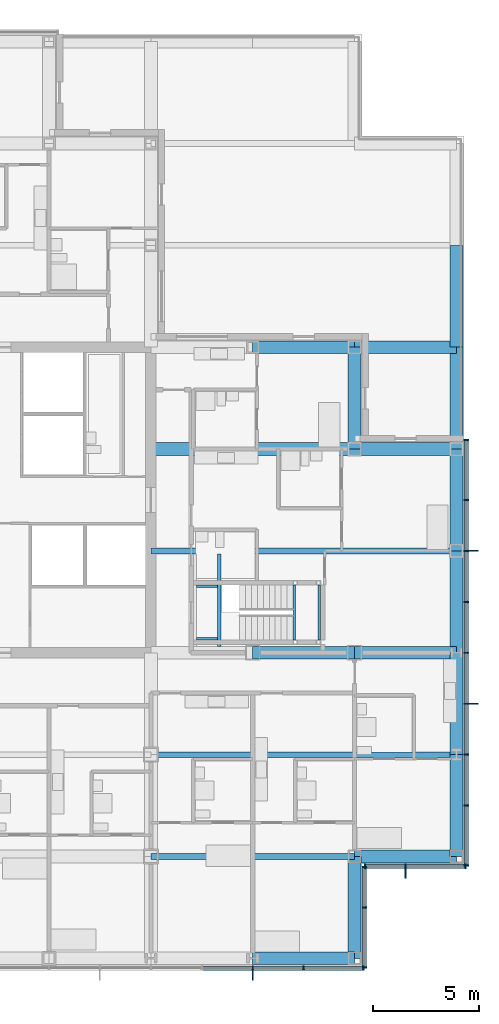
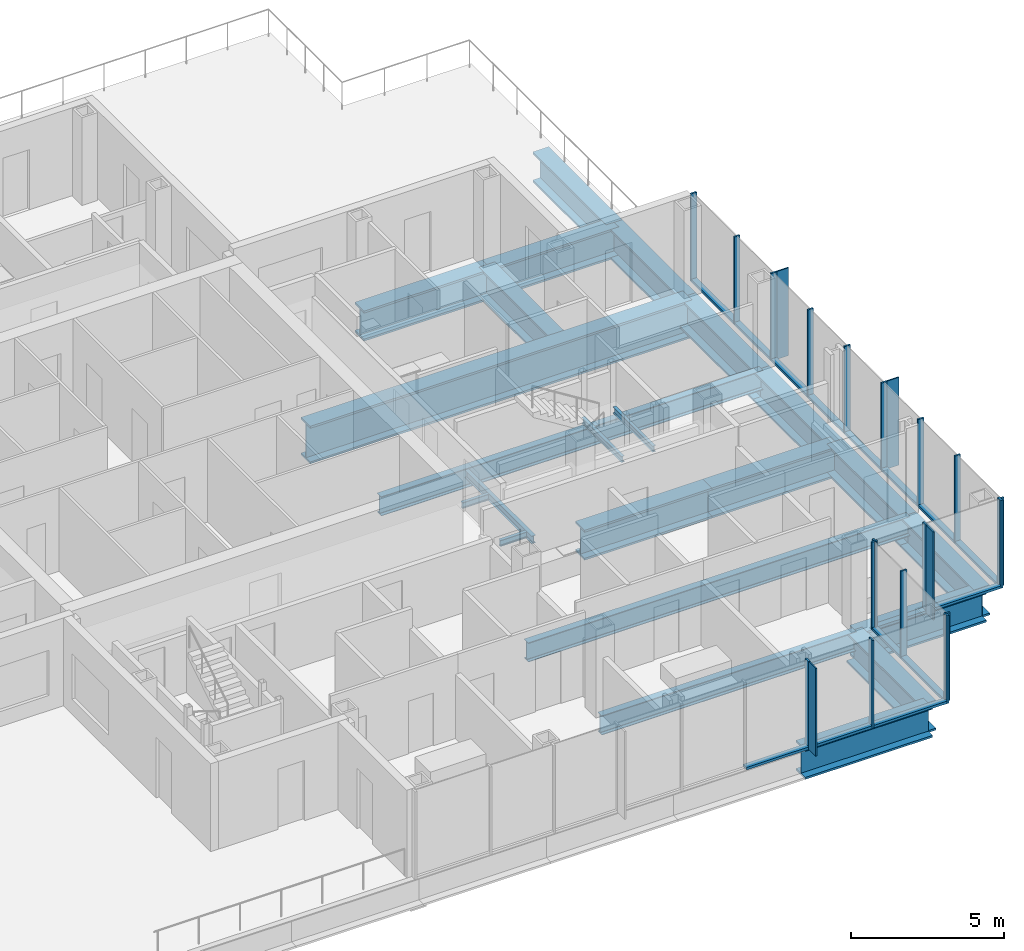
# One storey, part 8 of 19: 37 members, 23 beams, 4 elements without a shape of their own.
"""IFC4 building model written with IfcOpenShell, lengths in metres."""

from ifc_helpers import new_model, si_unit, direction, frame, origin, origin_2d, place, context, subcontext, project, spatial, rectangle, i_section, extrude, material, material_profile, profile_set, type_object, element, aggregate, save


model = new_model("IFC4")

# Units and contexts
model_context = context("Model", 3, precision=1e-05, world=origin(), true_north=direction((0.0, 1.0)))
body_context = subcontext(model_context, "Body", "Model", "MODEL_VIEW")
ifc_project = project(units=[si_unit("LENGTHUNIT", "METRE"), si_unit("AREAUNIT", "SQUARE_METRE"), si_unit("VOLUMEUNIT", "CUBIC_METRE"), si_unit("PLANEANGLEUNIT", "RADIAN"), si_unit("MASSUNIT", "GRAM", prefix="KILO")], contexts=[model_context])

# Site, building, storey
site_placement = place(None, origin())
site = spatial("IfcSite", under=ifc_project, at=site_placement, CompositionType="ELEMENT")
building_placement = place(site_placement, origin())
building = spatial("IfcBuilding", under=site, at=building_placement, Name="Kvirike Care Tower", CompositionType="ELEMENT")
storey_placement = place(building_placement, frame((0.0, 0.0, 84.0)))
storey = spatial("IfcBuildingStorey", under=building, at=storey_placement, Name="L22", CompositionType="ELEMENT", Elevation=84.0)

# Curtain wall, members
ifc_material_1 = material(Name="Anodised aluminium stick system", Category="aluminium")
curtain_wall_type = type_object("IfcCurtainWallType", Name="CW-B STICK CURTAIN WALL", PredefinedType="NOTDEFINED", material=ifc_material_1)
curtain_wall_1_placement = place(storey_placement, origin())
curtain_wall_1 = element("IfcCurtainWall", 1, at=curtain_wall_1_placement, inside=storey, type_object=curtain_wall_type, Name="Curtain wall L22 face 1", PredefinedType="NOTDEFINED")
ifc_material_2 = material(Name="Bronze anodised aluminium fin", Category="aluminium")
ifc_material_profile_1 = material_profile(ifc_material_2, rectangle(XDim=0.050048828125, YDim=0.449951171875, at=origin_2d()), Name="BRONZE FIN 450")
ifc_profile_set_1 = profile_set([ifc_material_profile_1], Name="Bronze anodised aluminium fin")
member_type_1 = type_object("IfcMemberType", Name="BRONZE FIN 450", PredefinedType="USERDEFINED", material=ifc_profile_set_1)
member_1_placement = place(storey_placement, frame((43.9951171875, 26.39990234375, 0.0), z_axis=(0.0, 0.0, 1.0), x_axis=(0.0, 1.0, 0.0)))
member_1 = element("IfcMember", 2, at=member_1_placement, type_object=member_type_1, Name="Bronze fin L22 face 1.4", ObjectType="FIN", PredefinedType="USERDEFINED", context=body_context, shape_type="SweptSolid", body=[
    extrude(rectangle(XDim=0.050048828125, YDim=0.449951171875, at=origin_2d()), origin(), (0.0, 0.0, 1.0), 3.5),
])
member_2_placement = place(storey_placement, frame((43.9951171875, 33.60009765625, 0.0), z_axis=(0.0, 0.0, 1.0), x_axis=(0.0, 1.0, 0.0)))
member_2 = element("IfcMember", 3, at=member_2_placement, type_object=member_type_1, Name="Bronze fin L22 face 1.7", ObjectType="FIN", PredefinedType="USERDEFINED", context=body_context, shape_type="SweptSolid", body=[
    extrude(rectangle(XDim=0.050048828125, YDim=0.449951171875, at=origin_2d()), origin(), (0.0, 0.0, 1.0), 3.5),
])

# Curtain wall, member
curtain_wall_2_placement = place(storey_placement, origin())
curtain_wall_2 = element("IfcCurtainWall", 4, at=curtain_wall_2_placement, inside=storey, type_object=curtain_wall_type, Name="Curtain wall L22 face 18", PredefinedType="NOTDEFINED")
member_3_placement = place(storey_placement, frame((33.60009765625, 13.60498046875, 0.0), z_axis=(0.0, 0.0, 1.0), x_axis=(1.0, 0.0, 0.0)))
member_3 = element("IfcMember", 5, at=member_3_placement, type_object=member_type_1, Name="Bronze fin L22 face 18.7", ObjectType="FIN", PredefinedType="USERDEFINED", context=body_context, shape_type="SweptSolid", body=[
    extrude(rectangle(XDim=0.050048828125, YDim=0.449951171875, at=origin_2d()), origin(), (0.0, 0.0, 1.0), 3.5),
])

curtain_wall_3_placement = place(storey_placement, origin())
curtain_wall_3 = element("IfcCurtainWall", 6, at=curtain_wall_3_placement, inside=storey, type_object=curtain_wall_type, Name="Curtain wall L22 face 20", PredefinedType="NOTDEFINED")
member_4_placement = place(storey_placement, frame((40.800048828125, 18.405029296875, 0.0), z_axis=(0.0, 0.0, 1.0), x_axis=(1.0, 0.0, 0.0)))
member_4 = element("IfcMember", 7, at=member_4_placement, type_object=member_type_1, Name="Bronze fin L22 face 20.2", ObjectType="FIN", PredefinedType="USERDEFINED", context=body_context, shape_type="SweptSolid", body=[
    extrude(rectangle(XDim=0.050048828125, YDim=0.449951171875, at=origin_2d()), origin(), (0.0, 0.0, 1.0), 3.5),
])

# Member
ifc_material_3 = material(Name="Bronze anodised aluminium mullion", Category="aluminium")
ifc_material_profile_2 = material_profile(ifc_material_3, rectangle(XDim=0.06494140625, YDim=0.219970703125, at=origin_2d()), Name="CW-B MULLION 65x220")
ifc_profile_set_2 = profile_set([ifc_material_profile_2], Name="Bronze anodised aluminium mullion")
member_type_2 = type_object("IfcMemberType", Name="CW-B MULLION 65x220", PredefinedType="MULLION", material=ifc_profile_set_2)
member_5_placement = place(storey_placement, frame((43.659912109375, 18.7724609375, 0.0), z_axis=(0.0, 0.0, 1.0), x_axis=(0.0, 1.0, 0.0)))
member_5 = element("IfcMember", 8, at=member_5_placement, type_object=member_type_2, Name="CW-B mullion L22 face 1.1", PredefinedType="MULLION", context=body_context, shape_type="SweptSolid", body=[
    extrude(rectangle(XDim=0.06494140625, YDim=0.219970703125, at=origin_2d()), origin(), (0.0, 0.0, 1.0), 3.5),
])

member_6_placement = place(storey_placement, frame((43.659912109375, 21.60009765625, 0.0), z_axis=(0.0, 0.0, 1.0), x_axis=(0.0, 1.0, 0.0)))
member_6 = element("IfcMember", 9, at=member_6_placement, type_object=member_type_2, Name="CW-B mullion L22 face 1.2", PredefinedType="MULLION", context=body_context, shape_type="SweptSolid", body=[
    extrude(rectangle(XDim=0.06494140625, YDim=0.219970703125, at=origin_2d()), origin(), (0.0, 0.0, 1.0), 3.5),
])

member_7_placement = place(storey_placement, frame((43.659912109375, 24.0, 0.0), z_axis=(0.0, 0.0, 1.0), x_axis=(0.0, 1.0, 0.0)))
member_7 = element("IfcMember", 10, at=member_7_placement, type_object=member_type_2, Name="CW-B mullion L22 face 1.3", PredefinedType="MULLION", context=body_context, shape_type="SweptSolid", body=[
    extrude(rectangle(XDim=0.06494140625, YDim=0.219970703125, at=origin_2d()), origin(), (0.0, 0.0, 1.0), 3.5),
])

member_8_placement = place(storey_placement, frame((43.659912109375, 26.39990234375, 0.0), z_axis=(0.0, 0.0, 1.0), x_axis=(0.0, 1.0, 0.0)))
member_8 = element("IfcMember", 11, at=member_8_placement, type_object=member_type_2, Name="CW-B mullion L22 face 1.4", PredefinedType="MULLION", context=body_context, shape_type="SweptSolid", body=[
    extrude(rectangle(XDim=0.06494140625, YDim=0.219970703125, at=origin_2d()), origin(), (0.0, 0.0, 1.0), 3.5),
])

member_9_placement = place(storey_placement, frame((43.659912109375, 28.800048828125, 0.0), z_axis=(0.0, 0.0, 1.0), x_axis=(0.0, 1.0, 0.0)))
member_9 = element("IfcMember", 12, at=member_9_placement, type_object=member_type_2, Name="CW-B mullion L22 face 1.5", PredefinedType="MULLION", context=body_context, shape_type="SweptSolid", body=[
    extrude(rectangle(XDim=0.06494140625, YDim=0.219970703125, at=origin_2d()), origin(), (0.0, 0.0, 1.0), 3.5),
])

member_10_placement = place(storey_placement, frame((43.659912109375, 31.199951171875, 0.0), z_axis=(0.0, 0.0, 1.0), x_axis=(0.0, 1.0, 0.0)))
member_10 = element("IfcMember", 13, at=member_10_placement, type_object=member_type_2, Name="CW-B mullion L22 face 1.6", PredefinedType="MULLION", context=body_context, shape_type="SweptSolid", body=[
    extrude(rectangle(XDim=0.06494140625, YDim=0.219970703125, at=origin_2d()), origin(), (0.0, 0.0, 1.0), 3.5),
])

member_11_placement = place(storey_placement, frame((43.659912109375, 33.60009765625, 0.0), z_axis=(0.0, 0.0, 1.0), x_axis=(0.0, 1.0, 0.0)))
member_11 = element("IfcMember", 14, at=member_11_placement, type_object=member_type_2, Name="CW-B mullion L22 face 1.7", PredefinedType="MULLION", context=body_context, shape_type="SweptSolid", body=[
    extrude(rectangle(XDim=0.06494140625, YDim=0.219970703125, at=origin_2d()), origin(), (0.0, 0.0, 1.0), 3.5),
])

member_12_placement = place(storey_placement, frame((43.659912109375, 36.0, 0.0), z_axis=(0.0, 0.0, 1.0), x_axis=(0.0, 1.0, 0.0)))
member_12 = element("IfcMember", 15, at=member_12_placement, type_object=member_type_2, Name="CW-B mullion L22 face 1.8", PredefinedType="MULLION", context=body_context, shape_type="SweptSolid", body=[
    extrude(rectangle(XDim=0.06494140625, YDim=0.219970703125, at=origin_2d()), origin(), (0.0, 0.0, 1.0), 3.5),
])

member_13_placement = place(storey_placement, frame((43.659912109375, 38.827392578125, 0.0), z_axis=(0.0, 0.0, 1.0), x_axis=(0.0, 1.0, 0.0)))
member_13 = element("IfcMember", 16, at=member_13_placement, type_object=member_type_2, Name="CW-B mullion L22 face 1.9", PredefinedType="MULLION", context=body_context, shape_type="SweptSolid", body=[
    extrude(rectangle(XDim=0.06494140625, YDim=0.219970703125, at=origin_2d()), origin(), (0.0, 0.0, 1.0), 3.5),
])

member_14_placement = place(storey_placement, frame((33.60009765625, 13.93994140625, 0.0), z_axis=(0.0, 0.0, 1.0), x_axis=(1.0, 0.0, 0.0)))
member_14 = element("IfcMember", 17, at=member_14_placement, type_object=member_type_2, Name="CW-B mullion L22 face 18.7", PredefinedType="MULLION", context=body_context, shape_type="SweptSolid", body=[
    extrude(rectangle(XDim=0.06494140625, YDim=0.219970703125, at=origin_2d()), origin(), (0.0, 0.0, 1.0), 3.5),
])

member_15_placement = place(storey_placement, frame((36.0, 13.93994140625, 0.0), z_axis=(0.0, 0.0, 1.0), x_axis=(1.0, 0.0, 0.0)))
member_15 = element("IfcMember", 18, at=member_15_placement, type_object=member_type_2, Name="CW-B mullion L22 face 18.8", PredefinedType="MULLION", context=body_context, shape_type="SweptSolid", body=[
    extrude(rectangle(XDim=0.06494140625, YDim=0.219970703125, at=origin_2d()), origin(), (0.0, 0.0, 1.0), 3.5),
])

member_16_placement = place(storey_placement, frame((38.827392578125, 13.93994140625, 0.0), z_axis=(0.0, 0.0, 1.0), x_axis=(1.0, 0.0, 0.0)))
member_16 = element("IfcMember", 19, at=member_16_placement, type_object=member_type_2, Name="CW-B mullion L22 face 18.9", PredefinedType="MULLION", context=body_context, shape_type="SweptSolid", body=[
    extrude(rectangle(XDim=0.06494140625, YDim=0.219970703125, at=origin_2d()), origin(), (0.0, 0.0, 1.0), 3.5),
])

# Curtain wall, members
curtain_wall_4_placement = place(storey_placement, origin())
curtain_wall_4 = element("IfcCurtainWall", 20, at=curtain_wall_4_placement, inside=storey, type_object=curtain_wall_type, Name="Curtain wall L22 face 19", PredefinedType="NOTDEFINED")
member_17_placement = place(storey_placement, frame((38.860107421875, 13.972412109375, 0.0), z_axis=(0.0, 0.0, 1.0), x_axis=(0.0, 1.0, 0.0)))
member_17 = element("IfcMember", 21, at=member_17_placement, type_object=member_type_2, Name="CW-B mullion L22 face 19.1", PredefinedType="MULLION", context=body_context, shape_type="SweptSolid", body=[
    extrude(rectangle(XDim=0.06494140625, YDim=0.219970703125, at=origin_2d()), origin(), (0.0, 0.0, 1.0), 3.5),
])
member_18_placement = place(storey_placement, frame((38.860107421875, 16.800048828125, 0.0), z_axis=(0.0, 0.0, 1.0), x_axis=(0.0, 1.0, 0.0)))
member_18 = element("IfcMember", 22, at=member_18_placement, type_object=member_type_2, Name="CW-B mullion L22 face 19.2", PredefinedType="MULLION", context=body_context, shape_type="SweptSolid", body=[
    extrude(rectangle(XDim=0.06494140625, YDim=0.219970703125, at=origin_2d()), origin(), (0.0, 0.0, 1.0), 3.5),
])
member_19_placement = place(storey_placement, frame((38.860107421875, 18.70751953125, 0.0), z_axis=(0.0, 0.0, 1.0), x_axis=(0.0, 1.0, 0.0)))
member_19 = element("IfcMember", 23, at=member_19_placement, type_object=member_type_2, Name="CW-B mullion L22 face 19.3", PredefinedType="MULLION", context=body_context, shape_type="SweptSolid", body=[
    extrude(rectangle(XDim=0.06494140625, YDim=0.219970703125, at=origin_2d()), origin(), (0.0, 0.0, 1.0), 3.5),
])

# Member
member_20_placement = place(storey_placement, frame((38.892578125, 18.739990234375, 0.0), z_axis=(0.0, 0.0, 1.0), x_axis=(1.0, 0.0, 0.0)))
member_20 = element("IfcMember", 24, at=member_20_placement, type_object=member_type_2, Name="CW-B mullion L22 face 20.1", PredefinedType="MULLION", context=body_context, shape_type="SweptSolid", body=[
    extrude(rectangle(XDim=0.06494140625, YDim=0.219970703125, at=origin_2d()), origin(), (0.0, 0.0, 1.0), 3.5),
])

member_21_placement = place(storey_placement, frame((40.800048828125, 18.739990234375, 0.0), z_axis=(0.0, 0.0, 1.0), x_axis=(1.0, 0.0, 0.0)))
member_21 = element("IfcMember", 25, at=member_21_placement, type_object=member_type_2, Name="CW-B mullion L22 face 20.2", PredefinedType="MULLION", context=body_context, shape_type="SweptSolid", body=[
    extrude(rectangle(XDim=0.06494140625, YDim=0.219970703125, at=origin_2d()), origin(), (0.0, 0.0, 1.0), 3.5),
])

member_22_placement = place(storey_placement, frame((43.62744140625, 18.739990234375, 0.0), z_axis=(0.0, 0.0, 1.0), x_axis=(1.0, 0.0, 0.0)))
member_22 = element("IfcMember", 26, at=member_22_placement, type_object=member_type_2, Name="CW-B mullion L22 face 20.3", PredefinedType="MULLION", context=body_context, shape_type="SweptSolid", body=[
    extrude(rectangle(XDim=0.06494140625, YDim=0.219970703125, at=origin_2d()), origin(), (0.0, 0.0, 1.0), 3.5),
])

ifc_material_4 = material(Name="Bronze anodised aluminium transom", Category="aluminium")
ifc_material_profile_3 = material_profile(ifc_material_4, rectangle(XDim=0.219970703125, YDim=0.10009765625, at=origin_2d()), Name="CW-B TRANSOM 220x100")
ifc_profile_set_3 = profile_set([ifc_material_profile_3], Name="Bronze anodised aluminium transom")
member_type_3 = type_object("IfcMemberType", Name="CW-B TRANSOM 220x100", PredefinedType="USERDEFINED", material=ifc_profile_set_3)
member_23_placement = place(storey_placement, frame((43.659912109375, 18.804931640625, 0.050048828125), z_axis=(0.0, 1.0, 0.0), x_axis=(-1.0, 0.0, 0.0)))
member_23 = element("IfcMember", 27, at=member_23_placement, type_object=member_type_3, Name="CW-B sill transom L22 face 1.1", ObjectType="TRANSOM", PredefinedType="USERDEFINED", context=body_context, shape_type="SweptSolid", body=[
    extrude(rectangle(XDim=0.219970703125, YDim=0.10009765625, at=origin_2d()), origin(), (0.0, 0.0, 1.0), 2.762451171875),
])

member_24_placement = place(storey_placement, frame((43.659912109375, 21.632568359375, 0.050048828125), z_axis=(0.0, 1.0, 0.0), x_axis=(-1.0, 0.0, 0.0)))
member_24 = element("IfcMember", 28, at=member_24_placement, type_object=member_type_3, Name="CW-B sill transom L22 face 1.2", ObjectType="TRANSOM", PredefinedType="USERDEFINED", context=body_context, shape_type="SweptSolid", body=[
    extrude(rectangle(XDim=0.219970703125, YDim=0.10009765625, at=origin_2d()), origin(), (0.0, 0.0, 1.0), 2.3349609375),
])

member_25_placement = place(storey_placement, frame((43.659912109375, 24.032470703125, 0.050048828125), z_axis=(0.0, 1.0, 0.0), x_axis=(-1.0, 0.0, 0.0)))
member_25 = element("IfcMember", 29, at=member_25_placement, type_object=member_type_3, Name="CW-B sill transom L22 face 1.3", ObjectType="TRANSOM", PredefinedType="USERDEFINED", context=body_context, shape_type="SweptSolid", body=[
    extrude(rectangle(XDim=0.219970703125, YDim=0.10009765625, at=origin_2d()), origin(), (0.0, 0.0, 1.0), 2.3349609375),
])

member_26_placement = place(storey_placement, frame((43.659912109375, 26.4326171875, 0.050048828125), z_axis=(0.0, 1.0, 0.0), x_axis=(-1.0, 0.0, 0.0)))
member_26 = element("IfcMember", 30, at=member_26_placement, type_object=member_type_3, Name="CW-B sill transom L22 face 1.4", ObjectType="TRANSOM", PredefinedType="USERDEFINED", context=body_context, shape_type="SweptSolid", body=[
    extrude(rectangle(XDim=0.219970703125, YDim=0.10009765625, at=origin_2d()), origin(), (0.0, 0.0, 1.0), 2.3349609375),
])

member_27_placement = place(storey_placement, frame((43.659912109375, 28.83251953125, 0.050048828125), z_axis=(0.0, 1.0, 0.0), x_axis=(-1.0, 0.0, 0.0)))
member_27 = element("IfcMember", 31, at=member_27_placement, type_object=member_type_3, Name="CW-B sill transom L22 face 1.5", ObjectType="TRANSOM", PredefinedType="USERDEFINED", context=body_context, shape_type="SweptSolid", body=[
    extrude(rectangle(XDim=0.219970703125, YDim=0.10009765625, at=origin_2d()), origin(), (0.0, 0.0, 1.0), 2.3349609375),
])

member_28_placement = place(storey_placement, frame((43.659912109375, 31.232421875, 0.050048828125), z_axis=(0.0, 1.0, 0.0), x_axis=(-1.0, 0.0, 0.0)))
member_28 = element("IfcMember", 32, at=member_28_placement, type_object=member_type_3, Name="CW-B sill transom L22 face 1.6", ObjectType="TRANSOM", PredefinedType="USERDEFINED", context=body_context, shape_type="SweptSolid", body=[
    extrude(rectangle(XDim=0.219970703125, YDim=0.10009765625, at=origin_2d()), origin(), (0.0, 0.0, 1.0), 2.3349609375),
])

member_29_placement = place(storey_placement, frame((43.659912109375, 33.632568359375, 0.050048828125), z_axis=(0.0, 1.0, 0.0), x_axis=(-1.0, 0.0, 0.0)))
member_29 = element("IfcMember", 33, at=member_29_placement, type_object=member_type_3, Name="CW-B sill transom L22 face 1.7", ObjectType="TRANSOM", PredefinedType="USERDEFINED", context=body_context, shape_type="SweptSolid", body=[
    extrude(rectangle(XDim=0.219970703125, YDim=0.10009765625, at=origin_2d()), origin(), (0.0, 0.0, 1.0), 2.3349609375),
])

member_30_placement = place(storey_placement, frame((43.659912109375, 36.032470703125, 0.050048828125), z_axis=(0.0, 1.0, 0.0), x_axis=(-1.0, 0.0, 0.0)))
member_30 = element("IfcMember", 34, at=member_30_placement, type_object=member_type_3, Name="CW-B sill transom L22 face 1.8", ObjectType="TRANSOM", PredefinedType="USERDEFINED", context=body_context, shape_type="SweptSolid", body=[
    extrude(rectangle(XDim=0.219970703125, YDim=0.10009765625, at=origin_2d()), origin(), (0.0, 0.0, 1.0), 2.762451171875),
])

aggregate(curtain_wall_1, [member_5, member_6, member_7, member_8, member_1, member_9, member_10, member_11, member_2, member_12, member_13, member_23, member_24, member_25, member_26, member_27, member_28, member_29, member_30])

member_31_placement = place(storey_placement, frame((31.232421875, 13.93994140625, 0.050048828125), z_axis=(1.0, 0.0, 0.0), x_axis=(0.0, 1.0, 0.0)))
member_31 = element("IfcMember", 35, at=member_31_placement, type_object=member_type_3, Name="CW-B sill transom L22 face 18.6", ObjectType="TRANSOM", PredefinedType="USERDEFINED", context=body_context, shape_type="SweptSolid", body=[
    extrude(rectangle(XDim=0.219970703125, YDim=0.10009765625, at=origin_2d()), origin(), (0.0, 0.0, 1.0), 2.3349609375),
])

member_32_placement = place(storey_placement, frame((33.632568359375, 13.93994140625, 0.050048828125), z_axis=(1.0, 0.0, 0.0), x_axis=(0.0, 1.0, 0.0)))
member_32 = element("IfcMember", 36, at=member_32_placement, type_object=member_type_3, Name="CW-B sill transom L22 face 18.7", ObjectType="TRANSOM", PredefinedType="USERDEFINED", context=body_context, shape_type="SweptSolid", body=[
    extrude(rectangle(XDim=0.219970703125, YDim=0.10009765625, at=origin_2d()), origin(), (0.0, 0.0, 1.0), 2.3349609375),
])

member_33_placement = place(storey_placement, frame((36.032470703125, 13.93994140625, 0.050048828125), z_axis=(1.0, 0.0, 0.0), x_axis=(0.0, 1.0, 0.0)))
member_33 = element("IfcMember", 37, at=member_33_placement, type_object=member_type_3, Name="CW-B sill transom L22 face 18.8", ObjectType="TRANSOM", PredefinedType="USERDEFINED", context=body_context, shape_type="SweptSolid", body=[
    extrude(rectangle(XDim=0.219970703125, YDim=0.10009765625, at=origin_2d()), origin(), (0.0, 0.0, 1.0), 2.762451171875),
])

aggregate(curtain_wall_2, [member_14, member_3, member_15, member_16, member_31, member_32, member_33])

member_34_placement = place(storey_placement, frame((38.860107421875, 14.0048828125, 0.050048828125), z_axis=(0.0, 1.0, 0.0), x_axis=(-1.0, 0.0, 0.0)))
member_34 = element("IfcMember", 38, at=member_34_placement, type_object=member_type_3, Name="CW-B sill transom L22 face 19.1", ObjectType="TRANSOM", PredefinedType="USERDEFINED", context=body_context, shape_type="SweptSolid", body=[
    extrude(rectangle(XDim=0.219970703125, YDim=0.10009765625, at=origin_2d()), origin(), (0.0, 0.0, 1.0), 2.7626953125),
])

member_35_placement = place(storey_placement, frame((38.860107421875, 16.83251953125, 0.050048828125), z_axis=(0.0, 1.0, 0.0), x_axis=(-1.0, 0.0, 0.0)))
member_35 = element("IfcMember", 39, at=member_35_placement, type_object=member_type_3, Name="CW-B sill transom L22 face 19.2", ObjectType="TRANSOM", PredefinedType="USERDEFINED", context=body_context, shape_type="SweptSolid", body=[
    extrude(rectangle(XDim=0.219970703125, YDim=0.10009765625, at=origin_2d()), origin(), (0.0, 0.0, 1.0), 1.842529296875),
])

aggregate(curtain_wall_4, [member_17, member_18, member_19, member_34, member_35])

member_36_placement = place(storey_placement, frame((38.925048828125, 18.739990234375, 0.050048828125), z_axis=(1.0, 0.0, 0.0), x_axis=(0.0, 1.0, 0.0)))
member_36 = element("IfcMember", 40, at=member_36_placement, type_object=member_type_3, Name="CW-B sill transom L22 face 20.1", ObjectType="TRANSOM", PredefinedType="USERDEFINED", context=body_context, shape_type="SweptSolid", body=[
    extrude(rectangle(XDim=0.219970703125, YDim=0.10009765625, at=origin_2d()), origin(), (0.0, 0.0, 1.0), 1.842529296875),
])

member_37_placement = place(storey_placement, frame((40.83251953125, 18.739990234375, 0.050048828125), z_axis=(1.0, 0.0, 0.0), x_axis=(0.0, 1.0, 0.0)))
member_37 = element("IfcMember", 41, at=member_37_placement, type_object=member_type_3, Name="CW-B sill transom L22 face 20.2", ObjectType="TRANSOM", PredefinedType="USERDEFINED", context=body_context, shape_type="SweptSolid", body=[
    extrude(rectangle(XDim=0.219970703125, YDim=0.10009765625, at=origin_2d()), origin(), (0.0, 0.0, 1.0), 2.762451171875),
])

aggregate(curtain_wall_3, [member_20, member_21, member_4, member_22, member_36, member_37])

# Beams
ifc_material_5 = material(Name="Steel S355", Category="steel")
ifc_material_profile_4 = material_profile(ifc_material_5, i_section(OverallWidth=0.26806640625, OverallDepth=0.77001953125, WebThickness=0.015625, FlangeThickness=0.025390625, FilletRadius=0.01708984375, at=origin_2d()), Name="IPE 750x196")
ifc_profile_set_4 = profile_set([ifc_material_profile_4], Name="Steel S355")
beam_type_1 = type_object("IfcBeamType", Name="FLOOR BEAM IPE 750x196", PredefinedType="BEAM", material=ifc_profile_set_4)
beam_1_placement = place(storey_placement, frame((28.800048828125, 19.199951171875, -0.554931640625), z_axis=(1.0, 0.0, 0.0), x_axis=(0.0, 1.0, 0.0)))
element("IfcBeam", 42, at=beam_1_placement, inside=storey, type_object=beam_type_1, Name="Floor Beam E9-E11 L22", PredefinedType="BEAM", context=body_context, shape_type="SweptSolid", body=[
    extrude(i_section(OverallWidth=0.26806640625, OverallDepth=0.77001953125, WebThickness=0.015625, FlangeThickness=0.025390625, FilletRadius=0.01708984375, at=origin_2d()), origin(), (0.0, 0.0, 1.0), 9.599853515625),
])
for number, where, z_axis, x_axis, name in (
    (43, (28.800048828125, 24.0, -0.554931640625), (1.0, 0.0, 0.0), (0.0, 1.0, 0.0), "Floor Beam F9-F12 L22"),
    (44, (28.800048828125, 33.60009765625, -0.554931640625), (1.0, 0.0, 0.0), (0.0, 1.0, 0.0), "Floor Beam H9-H12 L22"),
):
    element("IfcBeam", number, at=place(storey_placement, frame(where, z_axis=z_axis, x_axis=x_axis)), inside=storey, type_object=beam_type_1, Name=name, PredefinedType="BEAM", context=body_context, shape_type="SweptSolid", body=[
        extrude(i_section(OverallWidth=0.26806640625, OverallDepth=0.77001953125, WebThickness=0.015625, FlangeThickness=0.025390625, FilletRadius=0.01708984375, at=origin_2d()), origin(), (0.0, 0.0, 1.0), 14.39990234375),
    ])
ifc_material_6 = material(Name="Steel S355", Category="steel")
ifc_material_profile_5 = material_profile(ifc_material_6, i_section(OverallWidth=0.60009765625, OverallDepth=1.199951171875, WebThickness=0.0400390625, FlangeThickness=0.080078125, at=origin_2d()), Name="PG 1200x600x40x80")
ifc_profile_set_5 = profile_set([ifc_material_profile_5], Name="Steel S355")
beam_type_2 = type_object("IfcBeamType", Name="FRAME BEAM PG 1200x600x40x80", PredefinedType="BEAM", material=ifc_profile_set_5)
beam_2_placement = place(storey_placement, frame((33.60009765625, 28.800048828125, -0.77001953125), z_axis=(1.0, 0.0, 0.0), x_axis=(0.0, 1.0, 0.0)))
element("IfcBeam", 45, at=beam_2_placement, inside=storey, type_object=beam_type_2, Name="Frame Beam G10-G11 L22", PredefinedType="BEAM", context=body_context, shape_type="SweptSolid", body=[
    extrude(i_section(OverallWidth=0.60009765625, OverallDepth=1.199951171875, WebThickness=0.0400390625, FlangeThickness=0.080078125, at=origin_2d()), origin(), (0.0, 0.0, 1.0), 4.7998046875),
])
for number, where, z_axis, x_axis, name in (
    (46, (38.39990234375, 28.800048828125, -0.77001953125), (1.0, 0.0, 0.0), (0.0, 1.0, 0.0), "Frame Beam G11-G12 L22"),
    (47, (38.39990234375, 43.199951171875, -0.77001953125), (1.0, 0.0, 0.0), (0.0, 1.0, 0.0), "Frame Beam K11-K12 L22"),
):
    element("IfcBeam", number, at=place(storey_placement, frame(where, z_axis=z_axis, x_axis=x_axis)), inside=storey, type_object=beam_type_2, Name=name, PredefinedType="BEAM", context=body_context, shape_type="SweptSolid", body=[
        extrude(i_section(OverallWidth=0.60009765625, OverallDepth=1.199951171875, WebThickness=0.0400390625, FlangeThickness=0.080078125, at=origin_2d()), origin(), (0.0, 0.0, 1.0), 4.800048828125),
    ])
ifc_material_7 = material(Name="Steel S355", Category="steel")
ifc_material_profile_6 = material_profile(ifc_material_7, i_section(OverallWidth=0.60009765625, OverallDepth=1.199951171875, WebThickness=0.0400390625, FlangeThickness=0.080078125, at=origin_2d()), Name="PG 1200x600x40x80")
ifc_profile_set_6 = profile_set([ifc_material_profile_6], Name="Steel S355")
beam_type_3 = type_object("IfcBeamType", Name="SPANDREL PG 1200x600x40x80", PredefinedType="SPANDREL", material=ifc_profile_set_6)
beam_3_placement = place(storey_placement, frame((33.60009765625, 14.39990234375, -0.77001953125), z_axis=(1.0, 0.0, 0.0), x_axis=(0.0, 1.0, 0.0)))
element("IfcBeam", 48, at=beam_3_placement, inside=storey, type_object=beam_type_3, Name="Spandrel D10-D11 L22", PredefinedType="SPANDREL", context=body_context, shape_type="SweptSolid", body=[
    extrude(i_section(OverallWidth=0.60009765625, OverallDepth=1.199951171875, WebThickness=0.0400390625, FlangeThickness=0.080078125, at=origin_2d()), origin(), (0.0, 0.0, 1.0), 4.7998046875),
])
beam_4_placement = place(storey_placement, frame((38.39990234375, 19.199951171875, -0.77001953125), z_axis=(1.0, 0.0, 0.0), x_axis=(0.0, 1.0, 0.0)))
element("IfcBeam", 49, at=beam_4_placement, inside=storey, type_object=beam_type_3, Name="Spandrel E11-E12 L22", PredefinedType="SPANDREL", context=body_context, shape_type="SweptSolid", body=[
    extrude(i_section(OverallWidth=0.60009765625, OverallDepth=1.199951171875, WebThickness=0.0400390625, FlangeThickness=0.080078125, at=origin_2d()), origin(), (0.0, 0.0, 1.0), 4.800048828125),
])
beam_5_placement = place(storey_placement, frame((33.60009765625, 43.199951171875, -0.77001953125), z_axis=(1.0, 0.0, 0.0), x_axis=(0.0, 1.0, 0.0)))
element("IfcBeam", 50, at=beam_5_placement, inside=storey, type_object=beam_type_3, Name="Spandrel K10-K11 L22", PredefinedType="SPANDREL", context=body_context, shape_type="SweptSolid", body=[
    extrude(i_section(OverallWidth=0.60009765625, OverallDepth=1.199951171875, WebThickness=0.0400390625, FlangeThickness=0.080078125, at=origin_2d()), origin(), (0.0, 0.0, 1.0), 4.7998046875),
])
for number, where, z_axis, x_axis, name in (
    (51, (38.39990234375, 14.39990234375, -0.77001953125), (0.0, 1.0, 0.0), (-1.0, 0.0, 0.0), "Spandrel D11-E11 L22"),
    (52, (38.39990234375, 38.39990234375, -0.77001953125), (0.0, 1.0, 0.0), (-1.0, 0.0, 0.0), "Spandrel J11-K11 L22"),
    (53, (43.199951171875, 19.199951171875, -0.77001953125), (0.0, 1.0, 0.0), (-1.0, 0.0, 0.0), "Spandrel E12-F12 L22"),
    (54, (43.199951171875, 24.0, -0.77001953125), (0.0, 1.0, 0.0), (-1.0, 0.0, 0.0), "Spandrel F12-G12 L22"),
    (55, (43.199951171875, 28.800048828125, -0.77001953125), (0.0, 1.0, 0.0), (-1.0, 0.0, 0.0), "Spandrel G12-H12 L22"),
):
    element("IfcBeam", number, at=place(storey_placement, frame(where, z_axis=z_axis, x_axis=x_axis)), inside=storey, type_object=beam_type_3, Name=name, PredefinedType="SPANDREL", context=body_context, shape_type="SweptSolid", body=[
        extrude(i_section(OverallWidth=0.60009765625, OverallDepth=1.199951171875, WebThickness=0.0400390625, FlangeThickness=0.080078125, at=origin_2d()), origin(), (0.0, 0.0, 1.0), 4.800048828125),
    ])
beam_6_placement = place(storey_placement, frame((43.199951171875, 33.60009765625, -0.77001953125), z_axis=(0.0, 1.0, 0.0), x_axis=(-1.0, 0.0, 0.0)))
element("IfcBeam", 56, at=beam_6_placement, inside=storey, type_object=beam_type_3, Name="Spandrel H12-J12 L22", PredefinedType="SPANDREL", context=body_context, shape_type="SweptSolid", body=[
    extrude(i_section(OverallWidth=0.60009765625, OverallDepth=1.199951171875, WebThickness=0.0400390625, FlangeThickness=0.080078125, at=origin_2d()), origin(), (0.0, 0.0, 1.0), 4.7998046875),
])
for number, where, z_axis, x_axis, name in (
    (57, (43.199951171875, 38.39990234375, -0.77001953125), (0.0, 1.0, 0.0), (-1.0, 0.0, 0.0), "Spandrel J12-K12 L22"),
    (58, (43.199951171875, 43.199951171875, -0.77001953125), (0.0, 1.0, 0.0), (-1.0, 0.0, 0.0), "Spandrel K12-L12 L22"),
):
    element("IfcBeam", number, at=place(storey_placement, frame(where, z_axis=z_axis, x_axis=x_axis)), inside=storey, type_object=beam_type_3, Name=name, PredefinedType="SPANDREL", context=body_context, shape_type="SweptSolid", body=[
        extrude(i_section(OverallWidth=0.60009765625, OverallDepth=1.199951171875, WebThickness=0.0400390625, FlangeThickness=0.080078125, at=origin_2d()), origin(), (0.0, 0.0, 1.0), 4.800048828125),
    ])
ifc_material_8 = material(Name="Steel S355", Category="steel")
ifc_material_profile_7 = material_profile(ifc_material_8, i_section(OverallWidth=0.1201171875, OverallDepth=0.239990234375, WebThickness=0.006103515625, FlangeThickness=0.009765625, FilletRadius=0.014892578125, at=origin_2d()), Name="IPE 240")
ifc_profile_set_7 = profile_set([ifc_material_profile_7], Name="Steel S355")
beam_type_4 = type_object("IfcBeamType", Name="STAIR LANDING BEAM IPE 240", PredefinedType="BEAM", material=ifc_profile_set_7)
for number, where, z_axis, x_axis, name in (
    (59, (36.739990234375, 29.39990234375, 1.429931640625), (0.0, 1.0, 0.0), (-1.0, 0.0, 0.0), "Stair 2 landing beam back L22"),
    (60, (35.56005859375, 29.39990234375, 1.429931640625), (0.0, 1.0, 0.0), (-1.0, 0.0, 0.0), "Stair 2 landing beam front L22"),
):
    element("IfcBeam", number, at=place(storey_placement, frame(where, z_axis=z_axis, x_axis=x_axis)), inside=storey, type_object=beam_type_4, Name=name, PredefinedType="BEAM", context=body_context, shape_type="SweptSolid", body=[
        extrude(i_section(OverallWidth=0.1201171875, OverallDepth=0.239990234375, WebThickness=0.006103515625, FlangeThickness=0.009765625, FilletRadius=0.014892578125, at=origin_2d()), origin(), (0.0, 0.0, 1.0), 2.60009765625),
    ])
for number, where, z_axis, x_axis, name in (
    (61, (31.949951171875, 29.4599609375, -0.320068359375), (-1.0, 0.0, 0.0), (0.0, -1.0, 0.0), "Stair 2 landing edge beam 1 L22"),
    (62, (31.949951171875, 31.93994140625, -0.320068359375), (-1.0, 0.0, 0.0), (0.0, -1.0, 0.0), "Stair 2 landing edge beam 2 L22"),
):
    element("IfcBeam", number, at=place(storey_placement, frame(where, z_axis=z_axis, x_axis=x_axis)), inside=storey, type_object=beam_type_4, Name=name, PredefinedType="BEAM", context=body_context, shape_type="SweptSolid", body=[
        extrude(i_section(OverallWidth=0.1201171875, OverallDepth=0.239990234375, WebThickness=0.006103515625, FlangeThickness=0.009765625, FilletRadius=0.014892578125, at=origin_2d()), origin(), (0.0, 0.0, 1.0), 1.0),
    ])
ifc_material_9 = material(Name="Steel S355", Category="steel")
ifc_material_profile_8 = material_profile(ifc_material_9, i_section(OverallWidth=0.14990234375, OverallDepth=0.300048828125, WebThickness=0.007080078125, FlangeThickness=0.0107421875, FilletRadius=0.014892578125, at=origin_2d()), Name="IPE 300")
ifc_profile_set_8 = profile_set([ifc_material_profile_8], Name="Steel S355")
beam_type_5 = type_object("IfcBeamType", Name="STAIR TRIMMER IPE 300", PredefinedType="BEAM", material=ifc_profile_set_8)
beam_7_placement = place(storey_placement, frame((32.02490234375, 29.10009765625, -0.35009765625), z_axis=(0.0, 1.0, 0.0), x_axis=(-1.0, 0.0, 0.0)))
element("IfcBeam", 63, at=beam_7_placement, inside=storey, type_object=beam_type_5, Name="Stair 2 trimmer 1 L22", PredefinedType="BEAM", context=body_context, shape_type="SweptSolid", body=[
    extrude(i_section(OverallWidth=0.14990234375, OverallDepth=0.300048828125, WebThickness=0.007080078125, FlangeThickness=0.0107421875, FilletRadius=0.014892578125, at=origin_2d()), origin(), (0.0, 0.0, 1.0), 4.365966796875),
])
ifc_material_10 = material(Name="Steel S355", Category="steel")
ifc_material_profile_9 = material_profile(ifc_material_10, i_section(OverallWidth=0.60009765625, OverallDepth=1.5, WebThickness=0.0400390625, FlangeThickness=0.080078125, at=origin_2d()), Name="PG 1500x600x40x80")
ifc_profile_set_9 = profile_set([ifc_material_profile_9], Name="Steel S355")
beam_type_6 = type_object("IfcBeamType", Name="TRANSFER GIRDER PG 1500x600x40x80", PredefinedType="BEAM", material=ifc_profile_set_9)
beam_8_placement = place(storey_placement, frame((28.800048828125, 38.39990234375, -0.919921875), z_axis=(1.0, 0.0, 0.0), x_axis=(0.0, 1.0, 0.0)))
element("IfcBeam", 64, at=beam_8_placement, inside=storey, type_object=beam_type_6, Name="Transfer Girder J9-J12 L22", PredefinedType="BEAM", context=body_context, shape_type="SweptSolid", body=[
    extrude(i_section(OverallWidth=0.60009765625, OverallDepth=1.5, WebThickness=0.0400390625, FlangeThickness=0.080078125, at=origin_2d()), origin(), (0.0, 0.0, 1.0), 14.39990234375),
])

save(model, "model.ifc")
